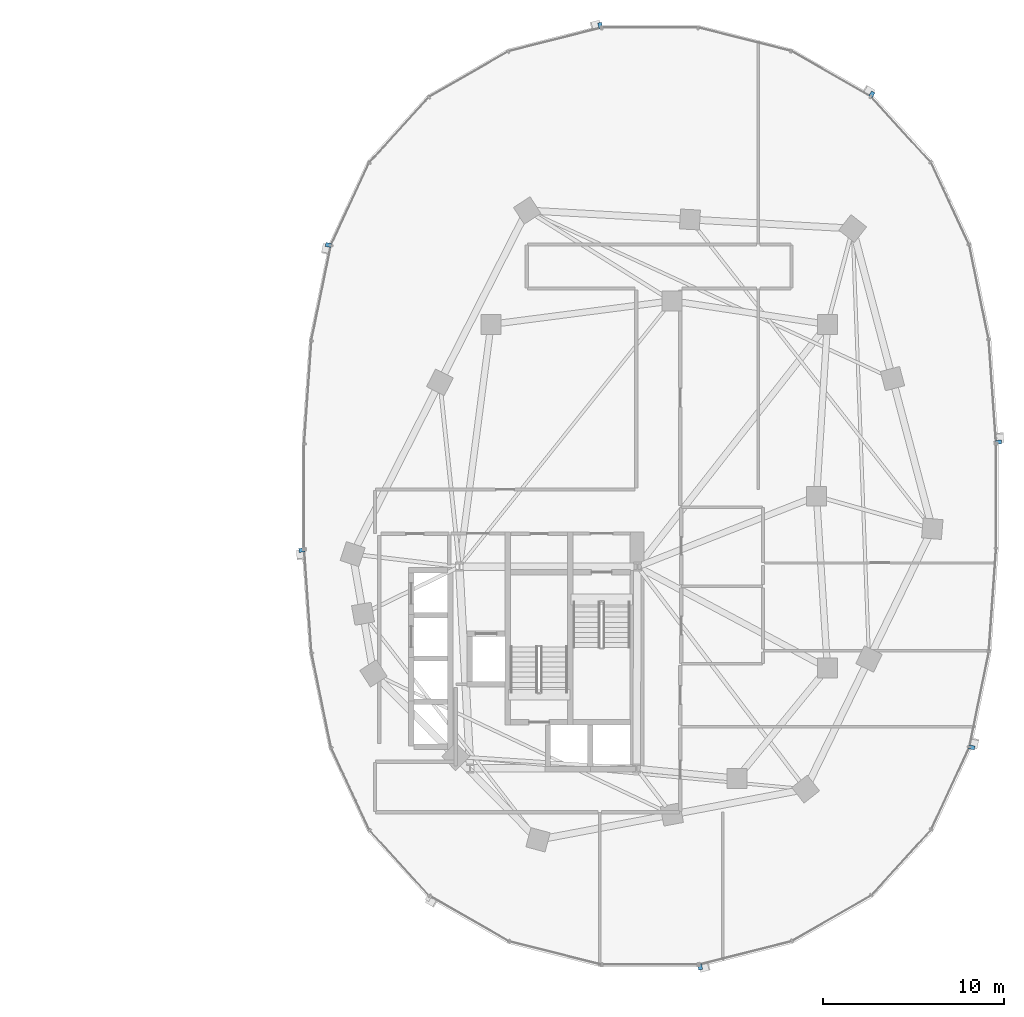
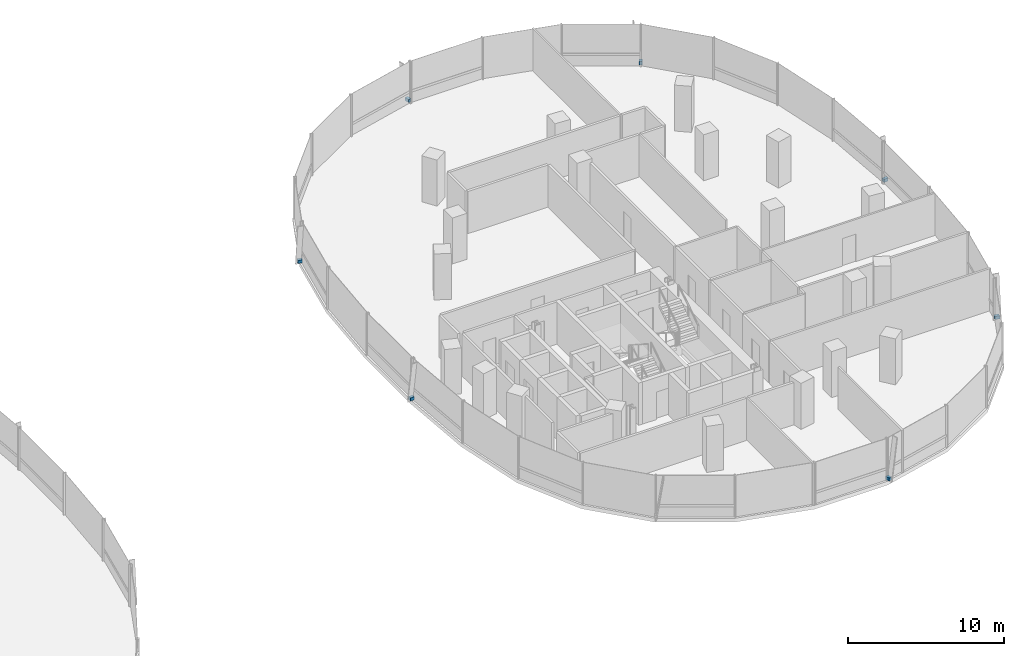
# One storey, part 16 of 21: 7 discrete accessories.
"""IFC4 building model written with IfcOpenShell, lengths in metres."""

from ifc_helpers import new_model, si_unit, direction, frame, origin, origin_2d, place, context, subcontext, project, spatial, rectangle, extrude, material, type_object, element, save


model = new_model("IFC4")

# Units and contexts
model_context = context("Model", 3, precision=1e-05, world=origin(), true_north=direction((0.0, 1.0)))
body_context = subcontext(model_context, "Body", "Model", "MODEL_VIEW")
ifc_project = project(units=[si_unit("LENGTHUNIT", "METRE"), si_unit("AREAUNIT", "SQUARE_METRE"), si_unit("VOLUMEUNIT", "CUBIC_METRE"), si_unit("PLANEANGLEUNIT", "RADIAN"), si_unit("MASSUNIT", "GRAM", prefix="KILO"), si_unit("THERMODYNAMICTEMPERATUREUNIT", "KELVIN"), si_unit("POWERUNIT", "WATT")], contexts=[model_context])

# Site, building, storey
site_placement = place(None, origin())
site = spatial("IfcSite", under=ifc_project, at=site_placement, CompositionType="ELEMENT")
building_placement = place(site_placement, origin())
building = spatial("IfcBuilding", under=site, at=building_placement, Name="Cundina Bronze Exchange", CompositionType="ELEMENT")
storey_placement = place(building_placement, frame((0.0, 0.0, 85.39990234375)))
storey = spatial("IfcBuildingStorey", under=building, at=storey_placement, Name="L21", CompositionType="ELEMENT", Elevation=85.39990234375)

# Discrete accessories
ifc_material = material(Name="Anodised Bronze Aluminium 6063-T6", Category="aluminium")
discrete_accessory_type = type_object("IfcDiscreteAccessoryType", Name="ACC-BRK-FIN", PredefinedType="BRACKET", material=ifc_material)
for number, where, z_axis, x_axis, name in (
    (1, (51.264404296875, 2.986083984375, 0.10009765625), (0.0, 0.0, 1.0), (-0.070278787473, 0.997527389113, 0.0), "L21 Fin Support Bracket 1"),
    (2, (44.259521484375, 22.21875, 0.10009765625), (0.0, 0.0, 1.0), (-0.867105478933, 0.498124571171, 0.0), "L21 Fin Support Bracket 5"),
    (3, (29.23974609375, 26.03173828125, 0.10009765625), (0.0, 0.0, 1.0), (-0.969488149345, -0.245138182011, 0.0), "L21 Fin Support Bracket 1"),
    (4, (14.211669921875, 13.8896484375, 0.10009765625), (0.0, 0.0, 1.0), (-0.201419845156, -0.979505000486, 0.0), "L21 Fin Support Bracket 5"),
    (5, (12.735595703125, -2.986083984375, 0.10009765625), (0.0, 0.0, 1.0), (0.070278787473, -0.997527389113, 0.0), "L21 Fin Support Bracket 1"),
    (6, (34.76025390625, -26.03173828125, 0.10009765625), (0.0, 0.0, 1.0), (0.969488149345, 0.245138182011, 0.0), "L21 Fin Support Bracket 1"),
    (7, (49.788330078125, -13.8896484375, 0.10009765625), (0.0, 0.0, 1.0), (0.201419845156, 0.979505000486, 0.0), "L21 Fin Support Bracket 5"),
):
    element("IfcDiscreteAccessory", number, at=place(storey_placement, frame(where, z_axis=z_axis, x_axis=x_axis)), inside=storey, type_object=discrete_accessory_type, Name=name, PredefinedType="BRACKET", context=body_context, shape_type="SweptSolid", body=[
        extrude(rectangle(XDim=0.219970703125, YDim=0.320068359375, at=origin_2d()), origin(), (0.0, 0.0, 1.0), 0.239990234375),
    ])

save(model, "model.ifc")
